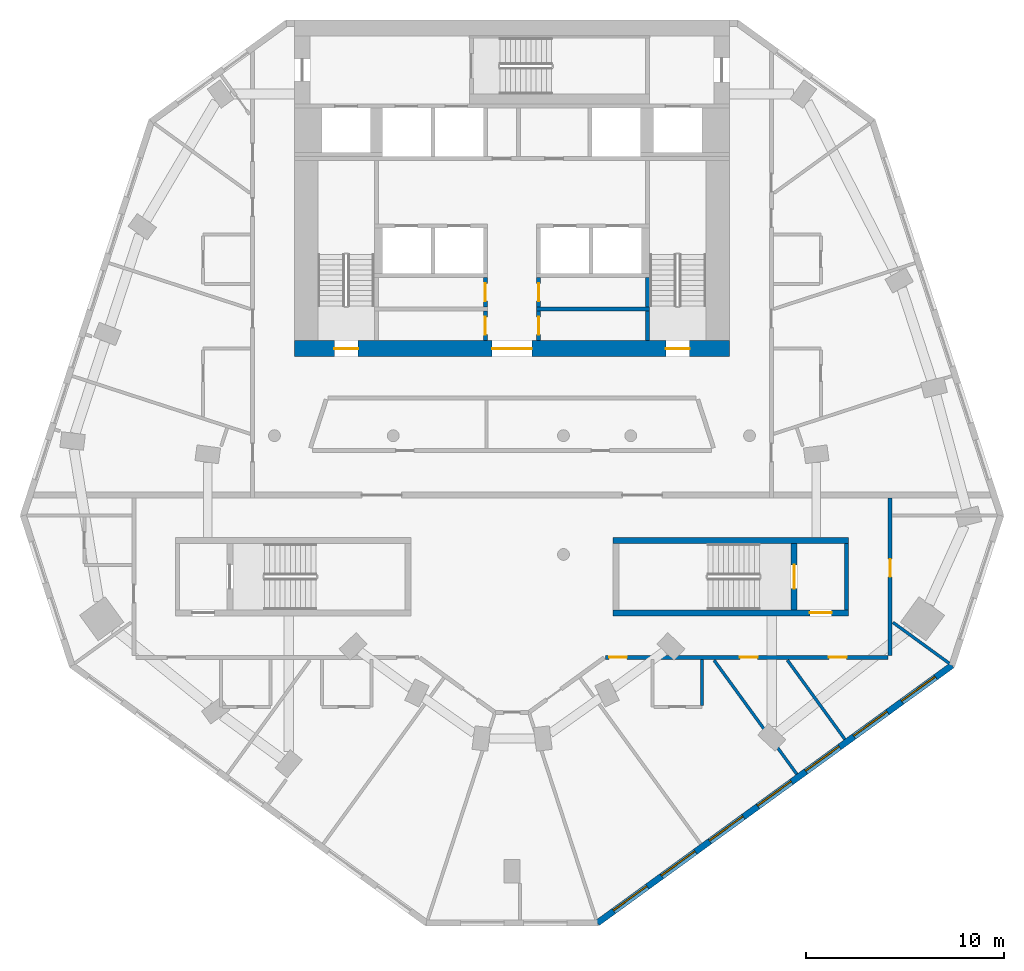
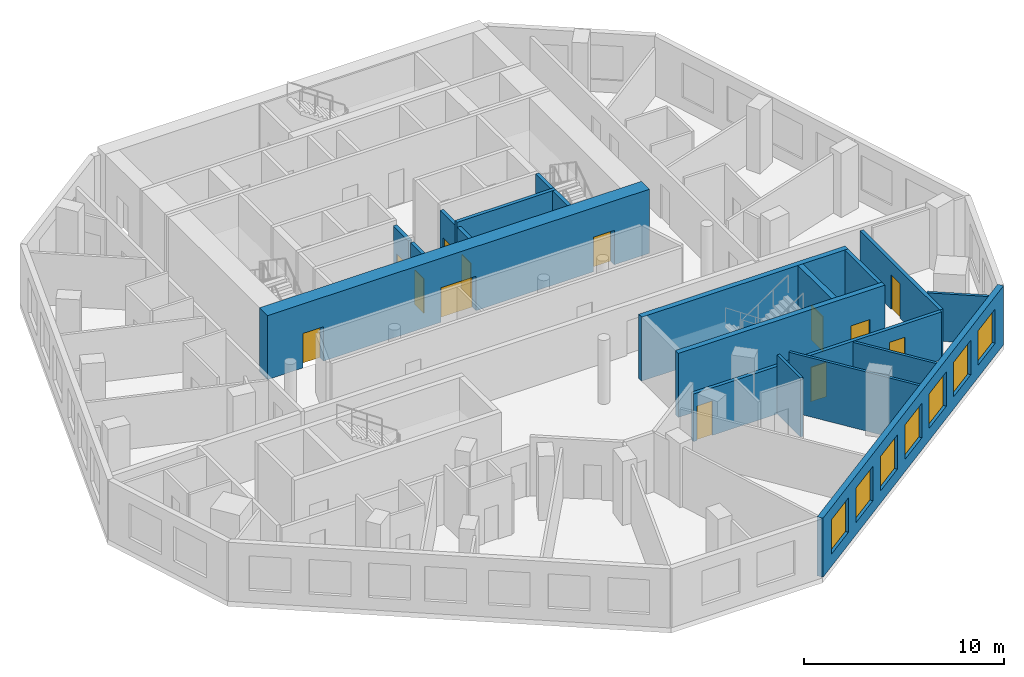
# One storey, part 4 of 9: 19 walls, 13 doors, 7 windows, 20 openings.
"""IFC4 building model written with IfcOpenShell, lengths in metres."""

from ifc_helpers import new_model, si_unit, direction, frame, frame_2d, origin, place, context, subcontext, project, spatial, rectangle, extrude, material, layer, layer_set, type_object, element, fill, save


model = new_model("IFC4")

# Units and contexts
model_context = context("Model", 3, precision=1e-05, world=origin(), true_north=direction((0.0, 1.0)))
body_context = subcontext(model_context, "Body", "Model", "MODEL_VIEW")
ifc_project = project(units=[si_unit("LENGTHUNIT", "METRE"), si_unit("AREAUNIT", "SQUARE_METRE"), si_unit("VOLUMEUNIT", "CUBIC_METRE"), si_unit("PLANEANGLEUNIT", "RADIAN"), si_unit("MASSUNIT", "GRAM", prefix="KILO")], contexts=[model_context])

# Site, building, storey
site_placement = place(None, origin())
site = spatial("IfcSite", under=ifc_project, at=site_placement, CompositionType="ELEMENT")
building_placement = place(site_placement, origin())
building = spatial("IfcBuilding", under=site, at=building_placement, Name="White Candle Pilgrim Tower", CompositionType="ELEMENT")
storey_placement = place(building_placement, frame((0.0, 0.0, 216.0)))
storey = spatial("IfcBuildingStorey", under=building, at=storey_placement, Name="L50", CompositionType="ELEMENT", Elevation=216.0)

# Wall
ifc_material_1 = material(Name="Concrete C50/60", Category="concrete")
ifc_layer_1 = layer(ifc_material_1, 0.199951171875)
ifc_layer_set_1 = layer_set([ifc_layer_1], Name="Core wall 200 mm Concrete C50/60")
wall_type_1 = type_object("IfcWallType", Name="Core wall 200 mm Concrete C50/60", PredefinedType="SHEAR", material=ifc_layer_set_1)
wall_1_placement = place(storey_placement, frame((86.89990234375, 58.199951171875, 0.0), z_axis=(0.0, 0.0, 1.0), x_axis=(0.0, 1.0, 0.0)))
element("IfcWall", 1, at=wall_1_placement, inside=storey, type_object=wall_type_1, Name="WL-L50-C08", PredefinedType="SHEAR", context=body_context, shape_type="SweptSolid", body=[
    extrude(rectangle(XDim=3.35009765625, YDim=0.199951171875, at=frame_2d((1.675048828125, 0.0))), origin(), (0.0, 0.0, 1.0), 3.89990234375),
])

# Wall, opening, door
ifc_material_2 = material(Name="Gypsum board on steel studs", Category="steel")
ifc_layer_2 = layer(ifc_material_2, 0.199951171875)
ifc_layer_set_2 = layer_set([ifc_layer_2], Name="Corridor wall 200 mm EI 45")
wall_type_2 = type_object("IfcWallType", Name="Corridor wall 200 mm EI 45", PredefinedType="PARTITIONING", material=ifc_layer_set_2)
wall_2_placement = place(storey_placement, frame((89.10009765625, 63.85009765625, 0.0), z_axis=(0.0, 0.0, 1.0), x_axis=(0.0, -1.0, 0.0)))
wall_2 = element("IfcWall", 2, at=wall_2_placement, inside=storey, type_object=wall_type_2, Name="WL-L50-P004", PredefinedType="PARTITIONING", context=body_context, shape_type="SweptSolid", body=[
    extrude(rectangle(XDim=7.9501953125, YDim=0.199951171875, at=frame_2d((3.97509765625, 0.0))), origin(), (0.0, 0.0, 1.0), 2.89990234375),
])
opening_1_placement = place(wall_2_placement, frame((3.08349609375, 0.0, 0.0)))
opening_1 = element("IfcOpeningElement", 3, at=opening_1_placement, cuts=wall_2, Name="Opening T15-116", PredefinedType="OPENING", context=body_context, shape_type="SweptSolid", body=[
    extrude(rectangle(XDim=0.89990234375, YDim=2.10009765625, at=frame_2d((0.449951171875, 1.050048828125))), frame((0.0, 0.10986328125, 0.0), z_axis=(0.0, -1.0, 0.0), x_axis=(1.0, 0.0, 0.0)), (0.0, 0.0, 1.0), 0.219970703125),
])
ifc_material_3 = material(Name="Steel door leaf", Category="steel")
door_type_1 = type_object("IfcDoorType", Name="Fire door 900 x 2100 EI 30", OperationType="NOTDEFINED", PredefinedType="DOOR", material=ifc_material_3)
door_1_placement = place(opening_1_placement, origin())
door_1 = element("IfcDoor", 4, at=door_1_placement, inside=storey, type_object=door_type_1, Name="Door T15-116", OperationType="SINGLE_SWING_RIGHT", OverallHeight=2.10009765625, OverallWidth=0.89990234375, PredefinedType="DOOR", context=body_context, shape_type="SweptSolid", body=[
    extrude(rectangle(XDim=0.89990234375, YDim=2.10009765625, at=frame_2d((0.449951171875, 1.050048828125))), frame((0.0, 0.02490234375, 0.0), z_axis=(0.0, -1.0, 0.0), x_axis=(1.0, 0.0, 0.0)), (0.0, 0.0, 1.0), 0.050048828125),
])
fill(opening_1, door_1)

# Wall, openings, doors
wall_3_placement = place(storey_placement, frame((89.0, 55.800048828125, 0.0), z_axis=(0.0, 0.0, 1.0), x_axis=(-1.0, 0.0, 0.0)))
wall_3 = element("IfcWall", 5, at=wall_3_placement, inside=storey, type_object=wall_type_2, Name="WL-L50-P005", PredefinedType="PARTITIONING", context=body_context, shape_type="SweptSolid", body=[
    extrude(rectangle(XDim=14.28466796875, YDim=0.199951171875, at=frame_2d((7.142333984375, 0.0))), origin(), (0.0, 0.0, 1.0), 2.89990234375),
])
opening_2_placement = place(wall_3_placement, frame((13.197265625, 0.0, 0.0)))
opening_2 = element("IfcOpeningElement", 6, at=opening_2_placement, cuts=wall_3, Name="Opening T15-113", PredefinedType="OPENING", context=body_context, shape_type="SweptSolid", body=[
    extrude(rectangle(XDim=0.89990234375, YDim=2.10009765625, at=frame_2d((0.449951171875, 1.050048828125))), frame((0.0, 0.10986328125, 0.0), z_axis=(0.0, -1.0, 0.0), x_axis=(1.0, 0.0, 0.0)), (0.0, 0.0, 1.0), 0.219970703125),
])
opening_3_placement = place(wall_3_placement, frame((6.5927734375, 0.0, 0.0)))
opening_3 = element("IfcOpeningElement", 7, at=opening_3_placement, cuts=wall_3, Name="Opening T15-114", PredefinedType="OPENING", context=body_context, shape_type="SweptSolid", body=[
    extrude(rectangle(XDim=0.89990234375, YDim=2.10009765625, at=frame_2d((0.449951171875, 1.050048828125))), frame((0.0, 0.10986328125, 0.0), z_axis=(0.0, -1.0, 0.0), x_axis=(1.0, 0.0, 0.0)), (0.0, 0.0, 1.0), 0.219970703125),
])
opening_4_placement = place(wall_3_placement, frame((2.09423828125, 0.0, 0.0)))
opening_4 = element("IfcOpeningElement", 8, at=opening_4_placement, cuts=wall_3, Name="Opening T15-115", PredefinedType="OPENING", context=body_context, shape_type="SweptSolid", body=[
    extrude(rectangle(XDim=0.89990234375, YDim=2.10009765625, at=frame_2d((0.449951171875, 1.050048828125))), frame((0.0, 0.10986328125, 0.0), z_axis=(0.0, -1.0, 0.0), x_axis=(1.0, 0.0, 0.0)), (0.0, 0.0, 1.0), 0.219970703125),
])
door_2_placement = place(opening_2_placement, origin())
door_2 = element("IfcDoor", 9, at=door_2_placement, inside=storey, type_object=door_type_1, Name="Door T15-113", OperationType="SINGLE_SWING_LEFT", OverallHeight=2.10009765625, OverallWidth=0.89990234375, PredefinedType="DOOR", context=body_context, shape_type="SweptSolid", body=[
    extrude(rectangle(XDim=0.89990234375, YDim=2.10009765625, at=frame_2d((0.449951171875, 1.050048828125))), frame((0.0, 0.02490234375, 0.0), z_axis=(0.0, -1.0, 0.0), x_axis=(1.0, 0.0, 0.0)), (0.0, 0.0, 1.0), 0.050048828125),
])
fill(opening_2, door_2)
door_3_placement = place(opening_3_placement, origin())
door_3 = element("IfcDoor", 10, at=door_3_placement, inside=storey, type_object=door_type_1, Name="Door T15-114", OperationType="SINGLE_SWING_RIGHT", OverallHeight=2.10009765625, OverallWidth=0.89990234375, PredefinedType="DOOR", context=body_context, shape_type="SweptSolid", body=[
    extrude(rectangle(XDim=0.89990234375, YDim=2.10009765625, at=frame_2d((0.449951171875, 1.050048828125))), frame((0.0, 0.02490234375, 0.0), z_axis=(0.0, -1.0, 0.0), x_axis=(1.0, 0.0, 0.0)), (0.0, 0.0, 1.0), 0.050048828125),
])
fill(opening_3, door_3)
door_4_placement = place(opening_4_placement, origin())
door_4 = element("IfcDoor", 11, at=door_4_placement, inside=storey, type_object=door_type_1, Name="Door T15-115", OperationType="SINGLE_SWING_LEFT", OverallHeight=2.10009765625, OverallWidth=0.89990234375, PredefinedType="DOOR", context=body_context, shape_type="SweptSolid", body=[
    extrude(rectangle(XDim=0.89990234375, YDim=2.10009765625, at=frame_2d((0.449951171875, 1.050048828125))), frame((0.0, 0.02490234375, 0.0), z_axis=(0.0, -1.0, 0.0), x_axis=(1.0, 0.0, 0.0)), (0.0, 0.0, 1.0), 0.050048828125),
])
fill(opening_4, door_4)

# Wall, openings, windows
ifc_material_4 = material(Name="Precast concrete C40/50", Category="concrete")
ifc_layer_3 = layer(ifc_material_4, 0.320068359375)
ifc_layer_set_3 = layer_set([ifc_layer_3], Name="Facade wall EW1 precast concrete C40/50 pier wall with timber-lined reveals")
wall_type_3 = type_object("IfcWallType", Name="Facade wall EW1 precast concrete C40/50 pier wall with timber-lined reveals", PredefinedType="SOLIDWALL", material=ifc_layer_set_3)
wall_4_placement = place(storey_placement, frame((74.312744140625, 42.37939453125, 0.0), z_axis=(0.0, 0.0, 1.0), x_axis=(0.809018689846, 0.587782918669, 0.0)))
wall_4 = element("IfcWall", 12, at=wall_4_placement, inside=storey, type_object=wall_type_3, Name="Facade wall L50 SE", PredefinedType="SOLIDWALL", context=body_context, shape_type="SweptSolid", body=[
    extrude(rectangle(XDim=22.145751953125, YDim=0.320068359375, at=frame_2d((11.07275390625, 0.0))), origin(), (0.0, 0.0, 1.0), 3.60009765625),
])
opening_5_placement = place(wall_4_placement, frame((1.022705078125, 0.0, 0.75)))
opening_5 = element("IfcOpeningElement", 13, at=opening_5_placement, cuts=wall_4, Name="Opening W3", PredefinedType="OPENING", context=body_context, shape_type="SweptSolid", body=[
    extrude(rectangle(XDim=2.10009765625, YDim=2.10009765625, at=frame_2d((1.050048828125, 1.050048828125))), frame((0.0, 0.169921875, 0.0), z_axis=(0.0, -1.0, 0.0), x_axis=(1.0, 0.0, 0.0)), (0.0, 0.0, 1.0), 0.340087890625),
])
opening_6_placement = place(wall_4_placement, frame((4.022705078125, 0.0, 0.75)))
opening_6 = element("IfcOpeningElement", 14, at=opening_6_placement, cuts=wall_4, Name="Opening W3", PredefinedType="OPENING", context=body_context, shape_type="SweptSolid", body=[
    extrude(rectangle(XDim=2.10009765625, YDim=2.10009765625, at=frame_2d((1.050048828125, 1.050048828125))), frame((0.0, 0.169921875, 0.0), z_axis=(0.0, -1.0, 0.0), x_axis=(1.0, 0.0, 0.0)), (0.0, 0.0, 1.0), 0.340087890625),
])
opening_7_placement = place(wall_4_placement, frame((7.022705078125, 0.0, 0.75)))
opening_7 = element("IfcOpeningElement", 15, at=opening_7_placement, cuts=wall_4, Name="Opening W3", PredefinedType="OPENING", context=body_context, shape_type="SweptSolid", body=[
    extrude(rectangle(XDim=2.10009765625, YDim=2.10009765625, at=frame_2d((1.050048828125, 1.050048828125))), frame((0.0, 0.169921875, 0.0), z_axis=(0.0, -1.0, 0.0), x_axis=(1.0, 0.0, 0.0)), (0.0, 0.0, 1.0), 0.340087890625),
])
opening_8_placement = place(wall_4_placement, frame((10.022705078125, 0.0, 0.75)))
opening_8 = element("IfcOpeningElement", 16, at=opening_8_placement, cuts=wall_4, Name="Opening W3", PredefinedType="OPENING", context=body_context, shape_type="SweptSolid", body=[
    extrude(rectangle(XDim=2.10009765625, YDim=2.10009765625, at=frame_2d((1.050048828125, 1.050048828125))), frame((0.0, 0.169921875, 0.0), z_axis=(0.0, -1.0, 0.0), x_axis=(1.0, 0.0, 0.0)), (0.0, 0.0, 1.0), 0.340087890625),
])
opening_9_placement = place(wall_4_placement, frame((13.022705078125, 0.0, 0.75)))
opening_9 = element("IfcOpeningElement", 17, at=opening_9_placement, cuts=wall_4, Name="Opening W3", PredefinedType="OPENING", context=body_context, shape_type="SweptSolid", body=[
    extrude(rectangle(XDim=2.10009765625, YDim=2.10009765625, at=frame_2d((1.050048828125, 1.050048828125))), frame((0.0, 0.169921875, 0.0), z_axis=(0.0, -1.0, 0.0), x_axis=(1.0, 0.0, 0.0)), (0.0, 0.0, 1.0), 0.340087890625),
])
opening_10_placement = place(wall_4_placement, frame((16.022705078125, 0.0, 0.75)))
opening_10 = element("IfcOpeningElement", 18, at=opening_10_placement, cuts=wall_4, Name="Opening W3", PredefinedType="OPENING", context=body_context, shape_type="SweptSolid", body=[
    extrude(rectangle(XDim=2.10009765625, YDim=2.10009765625, at=frame_2d((1.050048828125, 1.050048828125))), frame((0.0, 0.169921875, 0.0), z_axis=(0.0, -1.0, 0.0), x_axis=(1.0, 0.0, 0.0)), (0.0, 0.0, 1.0), 0.340087890625),
])
opening_11_placement = place(wall_4_placement, frame((19.022705078125, 0.0, 0.75)))
opening_11 = element("IfcOpeningElement", 19, at=opening_11_placement, cuts=wall_4, Name="Opening W3", PredefinedType="OPENING", context=body_context, shape_type="SweptSolid", body=[
    extrude(rectangle(XDim=2.10009765625, YDim=2.10009765625, at=frame_2d((1.050048828125, 1.050048828125))), frame((0.0, 0.169921875, 0.0), z_axis=(0.0, -1.0, 0.0), x_axis=(1.0, 0.0, 0.0)), (0.0, 0.0, 1.0), 0.340087890625),
])
ifc_material_5 = material(Name="Timber frame with triple glazing", Category="wood")
window_type = type_object("IfcWindowType", Name="Window W3 2100x2100 timber frame triple glazing", PartitioningType="SINGLE_PANEL", PredefinedType="WINDOW", material=ifc_material_5)
window_1_placement = place(opening_5_placement, origin())
window_1 = element("IfcWindow", 20, at=window_1_placement, inside=storey, type_object=window_type, Name="Window W3 L50 SE 1", OverallHeight=2.10009765625, OverallWidth=2.10009765625, PartitioningType="SINGLE_PANEL", PredefinedType="WINDOW", context=body_context, shape_type="SweptSolid", body=[
    extrude(rectangle(XDim=2.10009765625, YDim=2.10009765625, at=frame_2d((1.050048828125, 1.050048828125))), frame((0.0, 0.070068359375, 0.0), z_axis=(0.0, -1.0, 0.0), x_axis=(1.0, 0.0, 0.0)), (0.0, 0.0, 1.0), 0.06005859375),
])
fill(opening_5, window_1)
window_2_placement = place(opening_6_placement, origin())
window_2 = element("IfcWindow", 21, at=window_2_placement, inside=storey, type_object=window_type, Name="Window W3 L50 SE 2", OverallHeight=2.10009765625, OverallWidth=2.10009765625, PartitioningType="SINGLE_PANEL", PredefinedType="WINDOW", context=body_context, shape_type="SweptSolid", body=[
    extrude(rectangle(XDim=2.10009765625, YDim=2.10009765625, at=frame_2d((1.050048828125, 1.050048828125))), frame((0.0, 0.070068359375, 0.0), z_axis=(0.0, -1.0, 0.0), x_axis=(1.0, 0.0, 0.0)), (0.0, 0.0, 1.0), 0.06005859375),
])
fill(opening_6, window_2)
window_3_placement = place(opening_7_placement, origin())
window_3 = element("IfcWindow", 22, at=window_3_placement, inside=storey, type_object=window_type, Name="Window W3 L50 SE 3", OverallHeight=2.10009765625, OverallWidth=2.10009765625, PartitioningType="SINGLE_PANEL", PredefinedType="WINDOW", context=body_context, shape_type="SweptSolid", body=[
    extrude(rectangle(XDim=2.10009765625, YDim=2.10009765625, at=frame_2d((1.050048828125, 1.050048828125))), frame((0.0, 0.070068359375, 0.0), z_axis=(0.0, -1.0, 0.0), x_axis=(1.0, 0.0, 0.0)), (0.0, 0.0, 1.0), 0.06005859375),
])
fill(opening_7, window_3)
window_4_placement = place(opening_8_placement, origin())
window_4 = element("IfcWindow", 23, at=window_4_placement, inside=storey, type_object=window_type, Name="Window W3 L50 SE 4", OverallHeight=2.10009765625, OverallWidth=2.10009765625, PartitioningType="SINGLE_PANEL", PredefinedType="WINDOW", context=body_context, shape_type="SweptSolid", body=[
    extrude(rectangle(XDim=2.10009765625, YDim=2.10009765625, at=frame_2d((1.050048828125, 1.050048828125))), frame((0.0, 0.070068359375, 0.0), z_axis=(0.0, -1.0, 0.0), x_axis=(1.0, 0.0, 0.0)), (0.0, 0.0, 1.0), 0.06005859375),
])
fill(opening_8, window_4)
window_5_placement = place(opening_9_placement, origin())
window_5 = element("IfcWindow", 24, at=window_5_placement, inside=storey, type_object=window_type, Name="Window W3 L50 SE 5", OverallHeight=2.10009765625, OverallWidth=2.10009765625, PartitioningType="SINGLE_PANEL", PredefinedType="WINDOW", context=body_context, shape_type="SweptSolid", body=[
    extrude(rectangle(XDim=2.10009765625, YDim=2.10009765625, at=frame_2d((1.050048828125, 1.050048828125))), frame((0.0, 0.070068359375, 0.0), z_axis=(0.0, -1.0, 0.0), x_axis=(1.0, 0.0, 0.0)), (0.0, 0.0, 1.0), 0.06005859375),
])
fill(opening_9, window_5)
window_6_placement = place(opening_10_placement, origin())
window_6 = element("IfcWindow", 25, at=window_6_placement, inside=storey, type_object=window_type, Name="Window W3 L50 SE 6", OverallHeight=2.10009765625, OverallWidth=2.10009765625, PartitioningType="SINGLE_PANEL", PredefinedType="WINDOW", context=body_context, shape_type="SweptSolid", body=[
    extrude(rectangle(XDim=2.10009765625, YDim=2.10009765625, at=frame_2d((1.050048828125, 1.050048828125))), frame((0.0, 0.070068359375, 0.0), z_axis=(0.0, -1.0, 0.0), x_axis=(1.0, 0.0, 0.0)), (0.0, 0.0, 1.0), 0.06005859375),
])
fill(opening_10, window_6)
window_7_placement = place(opening_11_placement, origin())
window_7 = element("IfcWindow", 26, at=window_7_placement, inside=storey, type_object=window_type, Name="Window W3 L50 SE 7", OverallHeight=2.10009765625, OverallWidth=2.10009765625, PartitioningType="SINGLE_PANEL", PredefinedType="WINDOW", context=body_context, shape_type="SweptSolid", body=[
    extrude(rectangle(XDim=2.10009765625, YDim=2.10009765625, at=frame_2d((1.050048828125, 1.050048828125))), frame((0.0, 0.070068359375, 0.0), z_axis=(0.0, -1.0, 0.0), x_axis=(1.0, 0.0, 0.0)), (0.0, 0.0, 1.0), 0.06005859375),
])
fill(opening_11, window_7)

# Wall, opening, door
ifc_layer_4 = layer(ifc_material_2, 0.199951171875)
ifc_layer_set_4 = layer_set([ifc_layer_4], Name="Lobby wall 200 mm EI 60")
wall_type_4 = type_object("IfcWallType", Name="Lobby wall 200 mm EI 60", PredefinedType="PARTITIONING", material=ifc_layer_set_4)
wall_5_placement = place(storey_placement, frame((68.64990234375, 71.800048828125, 0.0), z_axis=(0.0, 0.0, 1.0), x_axis=(0.0, 1.0, 0.0)))
wall_5 = element("IfcWall", 27, at=wall_5_placement, inside=storey, type_object=wall_type_4, Name="WL-L50-C14", PredefinedType="PARTITIONING", context=body_context, shape_type="SweptSolid", body=[
    extrude(rectangle(XDim=1.5, YDim=0.199951171875, at=frame_2d((0.75, 0.0))), origin(), (0.0, 0.0, 1.0), 3.60009765625),
])
opening_12_placement = place(wall_5_placement, frame((0.300048828125, 0.0, 0.0)))
opening_12 = element("IfcOpeningElement", 28, at=opening_12_placement, cuts=wall_5, Name="Opening T15-005", PredefinedType="OPENING", context=body_context, shape_type="SweptSolid", body=[
    extrude(rectangle(XDim=0.89990234375, YDim=2.10009765625, at=frame_2d((0.449951171875, 1.050048828125))), frame((0.0, 0.10986328125, 0.0), z_axis=(0.0, -1.0, 0.0), x_axis=(1.0, 0.0, 0.0)), (0.0, 0.0, 1.0), 0.219970703125),
])
door_5_placement = place(opening_12_placement, origin())
door_5 = element("IfcDoor", 29, at=door_5_placement, inside=storey, type_object=door_type_1, Name="Door T15-005", OperationType="SINGLE_SWING_LEFT", OverallHeight=2.10009765625, OverallWidth=0.89990234375, PredefinedType="DOOR", context=body_context, shape_type="SweptSolid", body=[
    extrude(rectangle(XDim=0.89990234375, YDim=2.10009765625, at=frame_2d((0.449951171875, 1.050048828125))), frame((0.0, 0.02490234375, 0.0), z_axis=(0.0, -1.0, 0.0), x_axis=(1.0, 0.0, 0.0)), (0.0, 0.0, 1.0), 0.050048828125),
])
fill(opening_12, door_5)

wall_6_placement = place(storey_placement, frame((71.35009765625, 71.800048828125, 0.0), z_axis=(0.0, 0.0, 1.0), x_axis=(0.0, 1.0, 0.0)))
wall_6 = element("IfcWall", 30, at=wall_6_placement, inside=storey, type_object=wall_type_4, Name="WL-L50-C15", PredefinedType="PARTITIONING", context=body_context, shape_type="SweptSolid", body=[
    extrude(rectangle(XDim=1.5, YDim=0.199951171875, at=frame_2d((0.75, 0.0))), origin(), (0.0, 0.0, 1.0), 3.60009765625),
])
opening_13_placement = place(wall_6_placement, frame((0.300048828125, 0.0, 0.0)))
opening_13 = element("IfcOpeningElement", 31, at=opening_13_placement, cuts=wall_6, Name="Opening T15-007", PredefinedType="OPENING", context=body_context, shape_type="SweptSolid", body=[
    extrude(rectangle(XDim=0.89990234375, YDim=2.10009765625, at=frame_2d((0.449951171875, 1.050048828125))), frame((0.0, 0.10986328125, 0.0), z_axis=(0.0, -1.0, 0.0), x_axis=(1.0, 0.0, 0.0)), (0.0, 0.0, 1.0), 0.219970703125),
])
door_6_placement = place(opening_13_placement, origin())
door_6 = element("IfcDoor", 32, at=door_6_placement, inside=storey, type_object=door_type_1, Name="Door T15-007", OperationType="SINGLE_SWING_LEFT", OverallHeight=2.10009765625, OverallWidth=0.89990234375, PredefinedType="DOOR", context=body_context, shape_type="SweptSolid", body=[
    extrude(rectangle(XDim=0.89990234375, YDim=2.10009765625, at=frame_2d((0.449951171875, 1.050048828125))), frame((0.0, 0.02490234375, 0.0), z_axis=(0.0, -1.0, 0.0), x_axis=(1.0, 0.0, 0.0)), (0.0, 0.0, 1.0), 0.050048828125),
])
fill(opening_13, door_6)

wall_7_placement = place(storey_placement, frame((68.64990234375, 73.5, 0.0), z_axis=(0.0, 0.0, 1.0), x_axis=(0.0, 1.0, 0.0)))
wall_7 = element("IfcWall", 33, at=wall_7_placement, inside=storey, type_object=wall_type_4, Name="WL-L50-C21", PredefinedType="PARTITIONING", context=body_context, shape_type="SweptSolid", body=[
    extrude(rectangle(XDim=1.5, YDim=0.199951171875, at=frame_2d((0.75, 0.0))), origin(), (0.0, 0.0, 1.0), 3.60009765625),
])
opening_14_placement = place(wall_7_placement, frame((0.300048828125, 0.0, 0.0)))
opening_14 = element("IfcOpeningElement", 34, at=opening_14_placement, cuts=wall_7, Name="Opening T15-006", PredefinedType="OPENING", context=body_context, shape_type="SweptSolid", body=[
    extrude(rectangle(XDim=0.89990234375, YDim=2.10009765625, at=frame_2d((0.449951171875, 1.050048828125))), frame((0.0, 0.10986328125, 0.0), z_axis=(0.0, -1.0, 0.0), x_axis=(1.0, 0.0, 0.0)), (0.0, 0.0, 1.0), 0.219970703125),
])
door_7_placement = place(opening_14_placement, origin())
door_7 = element("IfcDoor", 35, at=door_7_placement, inside=storey, type_object=door_type_1, Name="Door T15-006", OperationType="SINGLE_SWING_RIGHT", OverallHeight=2.10009765625, OverallWidth=0.89990234375, PredefinedType="DOOR", context=body_context, shape_type="SweptSolid", body=[
    extrude(rectangle(XDim=0.89990234375, YDim=2.10009765625, at=frame_2d((0.449951171875, 1.050048828125))), frame((0.0, 0.02490234375, 0.0), z_axis=(0.0, -1.0, 0.0), x_axis=(1.0, 0.0, 0.0)), (0.0, 0.0, 1.0), 0.050048828125),
])
fill(opening_14, door_7)

wall_8_placement = place(storey_placement, frame((71.35009765625, 73.5, 0.0), z_axis=(0.0, 0.0, 1.0), x_axis=(0.0, 1.0, 0.0)))
wall_8 = element("IfcWall", 36, at=wall_8_placement, inside=storey, type_object=wall_type_4, Name="WL-L50-C22", PredefinedType="PARTITIONING", context=body_context, shape_type="SweptSolid", body=[
    extrude(rectangle(XDim=1.5, YDim=0.199951171875, at=frame_2d((0.75, 0.0))), origin(), (0.0, 0.0, 1.0), 3.60009765625),
])
opening_15_placement = place(wall_8_placement, frame((0.300048828125, 0.0, 0.0)))
opening_15 = element("IfcOpeningElement", 37, at=opening_15_placement, cuts=wall_8, Name="Opening T15-008", PredefinedType="OPENING", context=body_context, shape_type="SweptSolid", body=[
    extrude(rectangle(XDim=0.89990234375, YDim=2.10009765625, at=frame_2d((0.449951171875, 1.050048828125))), frame((0.0, 0.10986328125, 0.0), z_axis=(0.0, -1.0, 0.0), x_axis=(1.0, 0.0, 0.0)), (0.0, 0.0, 1.0), 0.219970703125),
])
door_8_placement = place(opening_15_placement, origin())
door_8 = element("IfcDoor", 38, at=door_8_placement, inside=storey, type_object=door_type_1, Name="Door T15-008", OperationType="SINGLE_SWING_RIGHT", OverallHeight=2.10009765625, OverallWidth=0.89990234375, PredefinedType="DOOR", context=body_context, shape_type="SweptSolid", body=[
    extrude(rectangle(XDim=0.89990234375, YDim=2.10009765625, at=frame_2d((0.449951171875, 1.050048828125))), frame((0.0, 0.02490234375, 0.0), z_axis=(0.0, -1.0, 0.0), x_axis=(1.0, 0.0, 0.0)), (0.0, 0.0, 1.0), 0.050048828125),
])
fill(opening_15, door_8)

# Walls
ifc_layer_5 = layer(ifc_material_2, 0.14990234375)
ifc_layer_set_5 = layer_set([ifc_layer_5], Name="Partition 150 mm EI 60")
wall_type_5 = type_object("IfcWallType", Name="Partition 150 mm EI 60", PredefinedType="PARTITIONING", material=ifc_layer_set_5)
wall_9_placement = place(storey_placement, frame((92.093017578125, 55.4951171875, 0.0), z_axis=(0.0, 0.0, 1.0), x_axis=(-0.809017810654, 0.587784128779, 0.0)))
element("IfcWall", 39, at=wall_9_placement, inside=storey, type_object=wall_type_5, Name="WL-L50-P020", PredefinedType="PARTITIONING", context=body_context, shape_type="SweptSolid", body=[
    extrude(rectangle(XDim=3.521484375, YDim=0.14990234375, at=frame_2d((1.7607421875, 0.0))), origin(), (0.0, 0.0, 1.0), 2.89990234375),
])
wall_10_placement = place(storey_placement, frame((84.390380859375, 49.89892578125, 0.0), z_axis=(0.0, 0.0, 1.0), x_axis=(-0.587771793652, 0.809026772479, 0.0)))
element("IfcWall", 40, at=wall_10_placement, inside=storey, type_object=wall_type_5, Name="WL-L50-P042", PredefinedType="PARTITIONING", context=body_context, shape_type="SweptSolid", body=[
    extrude(rectangle(XDim=7.115966796875, YDim=0.14990234375, at=frame_2d((3.55810546875, 0.0))), origin(), (0.0, 0.0, 1.0), 3.60009765625),
])
wall_11_placement = place(storey_placement, frame((86.8173828125, 51.662353515625, 0.0), z_axis=(0.0, 0.0, 1.0), x_axis=(-0.587759916297, 0.809035401447, 0.0)))
element("IfcWall", 41, at=wall_11_placement, inside=storey, type_object=wall_type_5, Name="WL-L50-P043", PredefinedType="PARTITIONING", context=body_context, shape_type="SweptSolid", body=[
    extrude(rectangle(XDim=4.936279296875, YDim=0.14990234375, at=frame_2d((2.46826171875, 0.0))), origin(), (0.0, 0.0, 1.0), 2.89990234375),
])
wall_12_placement = place(storey_placement, frame((79.60302734375, 55.699951171875, 0.0), z_axis=(0.0, 0.0, 1.0), x_axis=(0.0, -1.0, 0.0)))
element("IfcWall", 42, at=wall_12_placement, inside=storey, type_object=wall_type_5, Name="WL-L50-P046", PredefinedType="PARTITIONING", context=body_context, shape_type="SweptSolid", body=[
    extrude(rectangle(XDim=2.324951171875, YDim=0.14990234375, at=frame_2d((1.16259765625, 0.0))), origin(), (0.0, 0.0, 1.0), 3.60009765625),
])
ifc_layer_6 = layer(ifc_material_1, 0.199951171875)
ifc_layer_set_6 = layer_set([ifc_layer_6], Name="Stair shaft wall 200 mm Concrete C50/60")
wall_type_6 = type_object("IfcWallType", Name="Stair shaft wall 200 mm Concrete C50/60", PredefinedType="SHEAR", material=ifc_layer_set_6)
wall_13_placement = place(storey_placement, frame((76.85009765625, 71.800048828125, 0.0), z_axis=(0.0, 0.0, 1.0), x_axis=(0.0, 1.0, 0.0)))
element("IfcWall", 43, at=wall_13_placement, inside=storey, type_object=wall_type_6, Name="WL-L50-C16", PredefinedType="SHEAR", context=body_context, shape_type="SweptSolid", body=[
    extrude(rectangle(XDim=1.5, YDim=0.199951171875, at=frame_2d((0.75, 0.0))), origin(), (0.0, 0.0, 1.0), 3.89990234375),
])
wall_14_placement = place(storey_placement, frame((71.25, 73.39990234375, 0.0), z_axis=(0.0, 0.0, 1.0), x_axis=(1.0, 0.0, 0.0)))
element("IfcWall", 44, at=wall_14_placement, inside=storey, type_object=wall_type_6, Name="WL-L50-C19", PredefinedType="SHEAR", context=body_context, shape_type="SweptSolid", body=[
    extrude(rectangle(XDim=5.699951171875, YDim=0.199951171875, at=frame_2d((2.85009765625, 0.0))), origin(), (0.0, 0.0, 1.0), 3.89990234375),
])
wall_15_placement = place(storey_placement, frame((76.85009765625, 73.5, 0.0), z_axis=(0.0, 0.0, 1.0), x_axis=(0.0, 1.0, 0.0)))
element("IfcWall", 45, at=wall_15_placement, inside=storey, type_object=wall_type_6, Name="WL-L50-C23", PredefinedType="SHEAR", context=body_context, shape_type="SweptSolid", body=[
    extrude(rectangle(XDim=1.5, YDim=0.199951171875, at=frame_2d((0.75, 0.0))), origin(), (0.0, 0.0, 1.0), 3.89990234375),
])

# Wall, opening, door
ifc_layer_7 = layer(ifc_material_1, 0.300048828125)
ifc_layer_set_7 = layer_set([ifc_layer_7], Name="Stair shaft wall 300 mm Concrete C50/60")
wall_type_7 = type_object("IfcWallType", Name="Stair shaft wall 300 mm Concrete C50/60", PredefinedType="SHEAR", material=ifc_layer_set_7)
wall_16_placement = place(storey_placement, frame((75.10009765625, 58.050048828125, 0.0), z_axis=(0.0, 0.0, 1.0), x_axis=(1.0, 0.0, 0.0)))
wall_16 = element("IfcWall", 46, at=wall_16_placement, inside=storey, type_object=wall_type_7, Name="WL-L50-C02", PredefinedType="SHEAR", context=body_context, shape_type="SweptSolid", body=[
    extrude(rectangle(XDim=11.89990234375, YDim=0.300048828125, at=frame_2d((5.949951171875, 0.0))), origin(), (0.0, 0.0, 1.0), 3.89990234375),
])
opening_16_placement = place(wall_16_placement, frame((9.949951171875, 0.0, 0.0)))
opening_16 = element("IfcOpeningElement", 47, at=opening_16_placement, cuts=wall_16, Name="Opening T15-013", PredefinedType="OPENING", context=body_context, shape_type="SweptSolid", body=[
    extrude(rectangle(XDim=1.10009765625, YDim=2.10009765625, at=frame_2d((0.550048828125, 1.050048828125))), frame((0.0, 0.159912109375, 0.0), z_axis=(0.0, -1.0, 0.0), x_axis=(1.0, 0.0, 0.0)), (0.0, 0.0, 1.0), 0.320068359375),
])
door_type_2 = type_object("IfcDoorType", Name="Fire door 1100 x 2100 EI 60", OperationType="NOTDEFINED", PredefinedType="DOOR", material=ifc_material_3)
door_9_placement = place(opening_16_placement, origin())
door_9 = element("IfcDoor", 48, at=door_9_placement, inside=storey, type_object=door_type_2, Name="Door T15-013", OperationType="SINGLE_SWING_LEFT", OverallHeight=2.10009765625, OverallWidth=1.10009765625, PredefinedType="DOOR", context=body_context, shape_type="SweptSolid", body=[
    extrude(rectangle(XDim=1.10009765625, YDim=2.10009765625, at=frame_2d((0.550048828125, 1.050048828125))), frame((0.0, 0.02490234375, 0.0), z_axis=(0.0, -1.0, 0.0), x_axis=(1.0, 0.0, 0.0)), (0.0, 0.0, 1.0), 0.050048828125),
])
fill(opening_16, door_9)

wall_17_placement = place(storey_placement, frame((84.25, 58.199951171875, 0.0), z_axis=(0.0, 0.0, 1.0), x_axis=(0.0, 1.0, 0.0)))
wall_17 = element("IfcWall", 49, at=wall_17_placement, inside=storey, type_object=wall_type_7, Name="WL-L50-C07", PredefinedType="SHEAR", context=body_context, shape_type="SweptSolid", body=[
    extrude(rectangle(XDim=3.35009765625, YDim=0.300048828125, at=frame_2d((1.675048828125, 0.0))), origin(), (0.0, 0.0, 1.0), 3.89990234375),
])
opening_17_placement = place(wall_17_placement, frame((1.074951171875, 0.0, 0.0)))
opening_17 = element("IfcOpeningElement", 50, at=opening_17_placement, cuts=wall_17, Name="Opening T15-014", PredefinedType="OPENING", context=body_context, shape_type="SweptSolid", body=[
    extrude(rectangle(XDim=1.199951171875, YDim=2.10009765625, at=frame_2d((0.60009765625, 1.050048828125))), frame((0.0, 0.159912109375, 0.0), z_axis=(0.0, -1.0, 0.0), x_axis=(1.0, 0.0, 0.0)), (0.0, 0.0, 1.0), 0.320068359375),
])
door_type_3 = type_object("IfcDoorType", Name="Fire door 1200 x 2100 EI 60", OperationType="NOTDEFINED", PredefinedType="DOOR", material=ifc_material_3)
door_10_placement = place(opening_17_placement, origin())
door_10 = element("IfcDoor", 51, at=door_10_placement, inside=storey, type_object=door_type_3, Name="Door T15-014", OperationType="SINGLE_SWING_RIGHT", OverallHeight=2.10009765625, OverallWidth=1.199951171875, PredefinedType="DOOR", context=body_context, shape_type="SweptSolid", body=[
    extrude(rectangle(XDim=1.199951171875, YDim=2.10009765625, at=frame_2d((0.60009765625, 1.050048828125))), frame((0.0, 0.02490234375, 0.0), z_axis=(0.0, -1.0, 0.0), x_axis=(1.0, 0.0, 0.0)), (0.0, 0.0, 1.0), 0.050048828125),
])
fill(opening_17, door_10)

# Wall
wall_18_placement = place(storey_placement, frame((75.10009765625, 61.699951171875, 0.0), z_axis=(0.0, 0.0, 1.0), x_axis=(1.0, 0.0, 0.0)))
element("IfcWall", 52, at=wall_18_placement, inside=storey, type_object=wall_type_7, Name="WL-L50-C10", PredefinedType="SHEAR", context=body_context, shape_type="SweptSolid", body=[
    extrude(rectangle(XDim=11.89990234375, YDim=0.300048828125, at=frame_2d((5.949951171875, 0.0))), origin(), (0.0, 0.0, 1.0), 3.89990234375),
])

# Wall, openings, doors
ifc_layer_8 = layer(ifc_material_1, 0.800048828125)
ifc_layer_set_8 = layer_set([ifc_layer_8], Name="Stair shaft wall 800 mm Concrete C50/60")
wall_type_8 = type_object("IfcWallType", Name="Stair shaft wall 800 mm Concrete C50/60", PredefinedType="SHEAR", material=ifc_layer_set_8)
wall_19_placement = place(storey_placement, frame((59.0, 71.39990234375, 0.0), z_axis=(0.0, 0.0, 1.0), x_axis=(1.0, 0.0, 0.0)))
wall_19 = element("IfcWall", 53, at=wall_19_placement, inside=storey, type_object=wall_type_8, Name="WL-L50-C11", PredefinedType="SHEAR", context=body_context, shape_type="SweptSolid", body=[
    extrude(rectangle(XDim=22.0, YDim=0.800048828125, at=frame_2d((11.0, 0.0))), origin(), (0.0, 0.0, 1.0), 3.89990234375),
])
opening_18_placement = place(wall_19_placement, frame((2.02490234375, 0.0, 0.0)))
opening_18 = element("IfcOpeningElement", 54, at=opening_18_placement, cuts=wall_19, Name="Opening T15-001", PredefinedType="OPENING", context=body_context, shape_type="SweptSolid", body=[
    extrude(rectangle(XDim=1.199951171875, YDim=2.10009765625, at=frame_2d((0.60009765625, 1.050048828125))), frame((0.0, 0.409912109375, 0.0), z_axis=(0.0, -1.0, 0.0), x_axis=(1.0, 0.0, 0.0)), (0.0, 0.0, 1.0), 0.820068359375),
])
opening_19_placement = place(wall_19_placement, frame((18.77490234375, 0.0, 0.0)))
opening_19 = element("IfcOpeningElement", 55, at=opening_19_placement, cuts=wall_19, Name="Opening T15-002", PredefinedType="OPENING", context=body_context, shape_type="SweptSolid", body=[
    extrude(rectangle(XDim=1.199951171875, YDim=2.10009765625, at=frame_2d((0.60009765625, 1.050048828125))), frame((0.0, 0.409912109375, 0.0), z_axis=(0.0, -1.0, 0.0), x_axis=(1.0, 0.0, 0.0)), (0.0, 0.0, 1.0), 0.820068359375),
])
opening_20_placement = place(wall_19_placement, frame((10.0, 0.0, 0.0)))
opening_20 = element("IfcOpeningElement", 56, at=opening_20_placement, cuts=wall_19, Name="Opening T15-004", PredefinedType="OPENING", context=body_context, shape_type="SweptSolid", body=[
    extrude(rectangle(XDim=2.0, YDim=2.10009765625, at=frame_2d((1.0, 1.050048828125))), frame((0.0, 0.409912109375, 0.0), z_axis=(0.0, -1.0, 0.0), x_axis=(1.0, 0.0, 0.0)), (0.0, 0.0, 1.0), 0.820068359375),
])
door_11_placement = place(opening_18_placement, frame((1.199951171875, 0.0, 0.0), z_axis=(0.0, 0.0, 1.0), x_axis=(-1.0, 0.0, 0.0)))
door_11 = element("IfcDoor", 57, at=door_11_placement, inside=storey, type_object=door_type_3, Name="Door T15-001", OperationType="SINGLE_SWING_RIGHT", OverallHeight=2.10009765625, OverallWidth=1.199951171875, PredefinedType="DOOR", context=body_context, shape_type="SweptSolid", body=[
    extrude(rectangle(XDim=1.199951171875, YDim=2.10009765625, at=frame_2d((0.60009765625, 1.050048828125))), frame((0.0, 0.02490234375, 0.0), z_axis=(0.0, -1.0, 0.0), x_axis=(1.0, 0.0, 0.0)), (0.0, 0.0, 1.0), 0.050048828125),
])
fill(opening_18, door_11)
door_12_placement = place(opening_19_placement, frame((1.199951171875, 0.0, 0.0), z_axis=(0.0, 0.0, 1.0), x_axis=(-1.0, 0.0, 0.0)))
door_12 = element("IfcDoor", 58, at=door_12_placement, inside=storey, type_object=door_type_3, Name="Door T15-002", OperationType="SINGLE_SWING_LEFT", OverallHeight=2.10009765625, OverallWidth=1.199951171875, PredefinedType="DOOR", context=body_context, shape_type="SweptSolid", body=[
    extrude(rectangle(XDim=1.199951171875, YDim=2.10009765625, at=frame_2d((0.60009765625, 1.050048828125))), frame((0.0, 0.02490234375, 0.0), z_axis=(0.0, -1.0, 0.0), x_axis=(1.0, 0.0, 0.0)), (0.0, 0.0, 1.0), 0.050048828125),
])
fill(opening_19, door_12)
door_type_4 = type_object("IfcDoorType", Name="Fire door 2000 x 2100 EI 60", OperationType="NOTDEFINED", PredefinedType="DOOR", material=ifc_material_3)
door_13_placement = place(opening_20_placement, frame((2.0, 0.0, 0.0), z_axis=(0.0, 0.0, 1.0), x_axis=(-1.0, 0.0, 0.0)))
door_13 = element("IfcDoor", 59, at=door_13_placement, inside=storey, type_object=door_type_4, Name="Door T15-004", OperationType="DOUBLE_DOOR_SINGLE_SWING", OverallHeight=2.10009765625, OverallWidth=2.0, PredefinedType="DOOR", context=body_context, shape_type="SweptSolid", body=[
    extrude(rectangle(XDim=2.0, YDim=2.10009765625, at=frame_2d((1.0, 1.050048828125))), frame((0.0, 0.02490234375, 0.0), z_axis=(0.0, -1.0, 0.0), x_axis=(1.0, 0.0, 0.0)), (0.0, 0.0, 1.0), 0.050048828125),
])
fill(opening_20, door_13)

save(model, "model.ifc")
